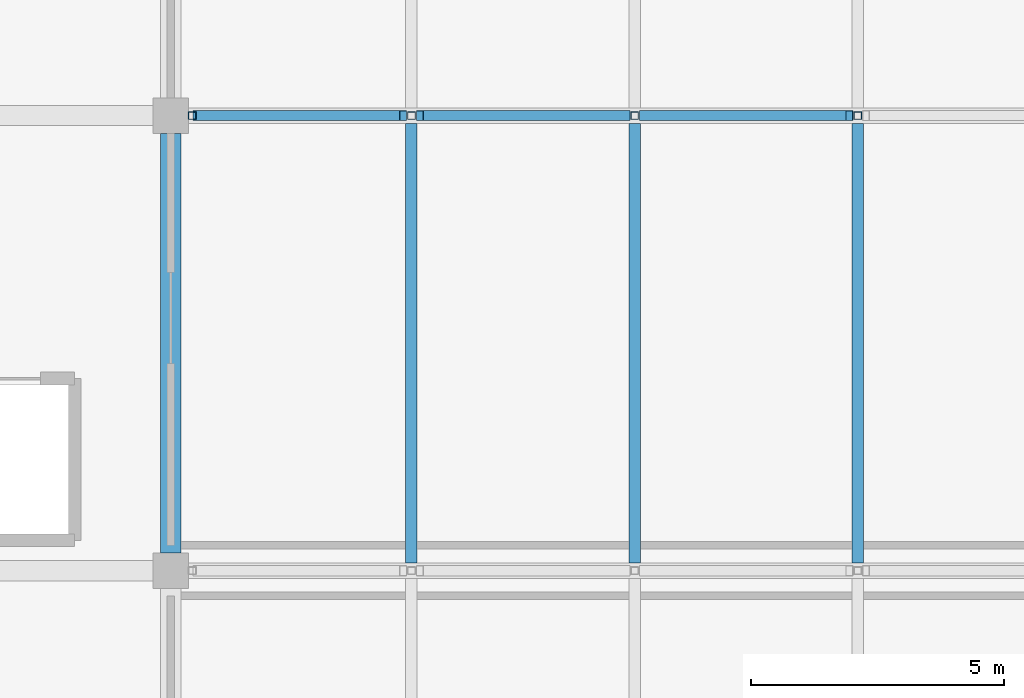
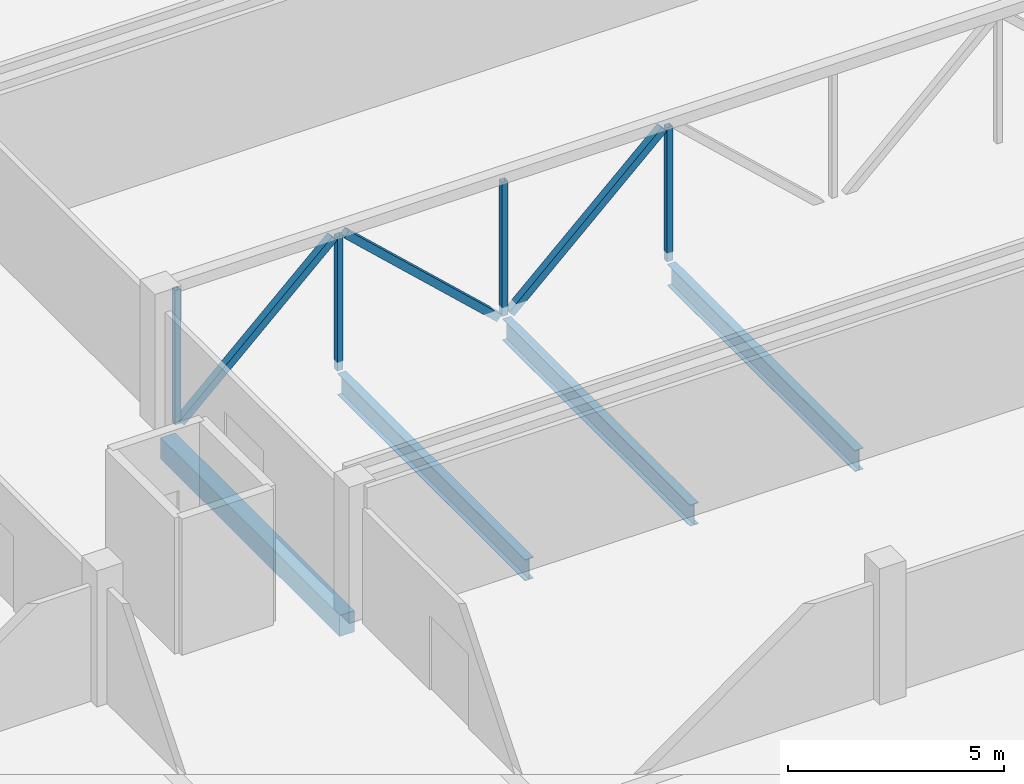
# One storey, part 5 of 42: 7 members, 4 beams.
"""IFC4 building model written with IfcOpenShell, lengths in metres."""

from ifc_helpers import new_model, si_unit, direction, frame, origin, origin_2d, place, context, subcontext, project, spatial, rectangle, hollow_rectangle, i_section, extrude, material, material_profile, profile_set, type_object, element, save


model = new_model("IFC4")

# Units and contexts
model_context = context("Model", 3, precision=1e-05, world=origin(), true_north=direction((0.0, 1.0)))
body_context = subcontext(model_context, "Body", "Model", "MODEL_VIEW")
ifc_project = project(units=[si_unit("LENGTHUNIT", "METRE"), si_unit("AREAUNIT", "SQUARE_METRE"), si_unit("VOLUMEUNIT", "CUBIC_METRE"), si_unit("PLANEANGLEUNIT", "RADIAN"), si_unit("MASSUNIT", "GRAM", prefix="KILO")], contexts=[model_context])

# Site, building, storey
site_placement = place(None, origin())
site = spatial("IfcSite", under=ifc_project, at=site_placement, CompositionType="ELEMENT")
building_placement = place(site_placement, origin())
building = spatial("IfcBuilding", under=site, at=building_placement, Name="Corbel Stack Research Tower", CompositionType="ELEMENT")
storey_placement = place(building_placement, frame((0.0, 0.0, 11.300048828125)))
storey = spatial("IfcBuildingStorey", under=building, at=storey_placement, Name="L02", CompositionType="ELEMENT", Elevation=11.300048828125)

# Beams
ifc_material_1 = material(Name="Concrete C40/50", Category="concrete")
ifc_material_profile_1 = material_profile(ifc_material_1, rectangle(XDim=0.39990234375, YDim=0.60009765625, at=origin_2d()), Name="RC 400 x 600")
ifc_profile_set_1 = profile_set([ifc_material_profile_1], Name="Concrete C40/50")
beam_type_1 = type_object("IfcBeamType", Name="HB1 RC beam 400 x 600", PredefinedType="BEAM", material=ifc_profile_set_1)
beam_placement = place(storey_placement, frame((50.949951171875, -8.64990234375, -0.550048828125), z_axis=(0.0, 1.0, 0.0), x_axis=(-1.0, 0.0, 0.0)))
element("IfcBeam", 1, at=beam_placement, inside=storey, type_object=beam_type_1, Name="Floor beam L02 H3HC-H3HD", PredefinedType="BEAM", context=body_context, shape_type="SweptSolid", body=[
    extrude(rectangle(XDim=0.39990234375, YDim=0.60009765625, at=origin_2d()), origin(), (0.0, 0.0, 1.0), 8.2998046875),
])
ifc_material_2 = material(Name="Steel S355", Category="steel")
ifc_material_profile_2 = material_profile(ifc_material_2, i_section(OverallWidth=0.22802734375, OverallDepth=0.60302734375, WebThickness=0.010986328125, FlangeThickness=0.014892578125, at=origin_2d()), Name="W24x68")
ifc_profile_set_2 = profile_set([ifc_material_profile_2], Name="Steel S355")
beam_type_2 = type_object("IfcBeamType", Name="HB2 steel beam W24x68", PredefinedType="BEAM", material=ifc_profile_set_2)
for number, where, z_axis, x_axis, name in (
    (2, (55.71240234375, -8.847412109375, -0.551513671875), (0.0, 1.0, 0.0), (-1.0, 0.0, 0.0), "Steel floor beam L02 bay 2 line 1"),
    (3, (60.125, -8.847412109375, -0.551513671875), (0.0, 1.0, 0.0), (-1.0, 0.0, 0.0), "Steel floor beam L02 bay 2 line 2"),
    (4, (64.53759765625, -8.847412109375, -0.551513671875), (0.0, 1.0, 0.0), (-1.0, 0.0, 0.0), "Steel floor beam L02 bay 2 line 3"),
):
    element("IfcBeam", number, at=place(storey_placement, frame(where, z_axis=z_axis, x_axis=x_axis)), inside=storey, type_object=beam_type_2, Name=name, PredefinedType="BEAM", context=body_context, shape_type="SweptSolid", body=[
        extrude(i_section(OverallWidth=0.22802734375, OverallDepth=0.60302734375, WebThickness=0.010986328125, FlangeThickness=0.014892578125, at=origin_2d()), origin(), (0.0, 0.0, 1.0), 8.69482421875),
    ])

# Members
ifc_material_3 = material(Name="Steel S355", Category="steel")
ifc_material_profile_3 = material_profile(ifc_material_3, hollow_rectangle(XDim=0.202880859375, YDim=0.202880859375, WallThickness=0.0087890625, at=origin_2d()), Name="HSS8x8x3/8")
ifc_profile_set_3 = profile_set([ifc_material_profile_3], Name="Steel S355")
member_type_1 = type_object("IfcMemberType", Name="HT2 truss diagonal HSS8x8x3/8", PredefinedType="BRACE", material=ifc_profile_set_3)
for number, where, z_axis, x_axis, name in (
    (5, (51.464111328125, 0.0, -0.25), (0.732576659872, 0.0, 0.680684535898), (0.0, 1.0, 0.0), "Truss TA2 diagonal 1"),
    (6, (55.876708984375, 0.0, 3.544921875), (0.732576659872, 0.0, -0.680684535898), (0.0, 1.0, 0.0), "Truss TA2 diagonal 2"),
    (7, (60.2890625, 0.0, -0.25), (0.732576659872, 0.0, 0.680684535898), (0.0, 1.0, 0.0), "Truss TA2 diagonal 3"),
):
    element("IfcMember", number, at=place(storey_placement, frame(where, z_axis=z_axis, x_axis=x_axis)), inside=storey, type_object=member_type_1, Name=name, PredefinedType="BRACE", context=body_context, shape_type="SweptSolid", body=[
        extrude(hollow_rectangle(XDim=0.202880859375, YDim=0.202880859375, WallThickness=0.0087890625, at=origin_2d()), origin(), (0.0, 0.0, 1.0), 5.5751953125),
    ])
ifc_material_4 = material(Name="Steel S355", Category="steel")
ifc_material_profile_4 = material_profile(ifc_material_4, hollow_rectangle(XDim=0.152099609375, YDim=0.152099609375, WallThickness=0.005859375, at=origin_2d()), Name="HSS6x6x1/4")
ifc_profile_set_4 = profile_set([ifc_material_profile_4], Name="Steel S355")
member_type_2 = type_object("IfcMemberType", Name="HT3 truss post HSS6x6x1/4", PredefinedType="POST", material=ifc_profile_set_4)
for number, where, z_axis, x_axis, name in (
    (8, (51.3759765625, 0.0, -0.25), (0.0, 0.0, 1.0), (1.0, 0.0, 0.0), "Truss TA2 post 1"),
    (9, (55.71240234375, 0.0, -0.25), (0.0, 0.0, 1.0), (1.0, 0.0, 0.0), "Truss TA2 post 2"),
    (10, (60.125, 0.0, -0.25), (0.0, 0.0, 1.0), (1.0, 0.0, 0.0), "Truss TA2 post 3"),
    (11, (64.53759765625, 0.0, -0.25), (0.0, 0.0, 1.0), (1.0, 0.0, 0.0), "Truss TA2 post 4"),
):
    element("IfcMember", number, at=place(storey_placement, frame(where, z_axis=z_axis, x_axis=x_axis)), inside=storey, type_object=member_type_2, Name=name, PredefinedType="POST", context=body_context, shape_type="SweptSolid", body=[
        extrude(hollow_rectangle(XDim=0.152099609375, YDim=0.152099609375, WallThickness=0.005859375, at=origin_2d()), origin(), (0.0, 0.0, 1.0), 3.794921875),
    ])

save(model, "model.ifc")
